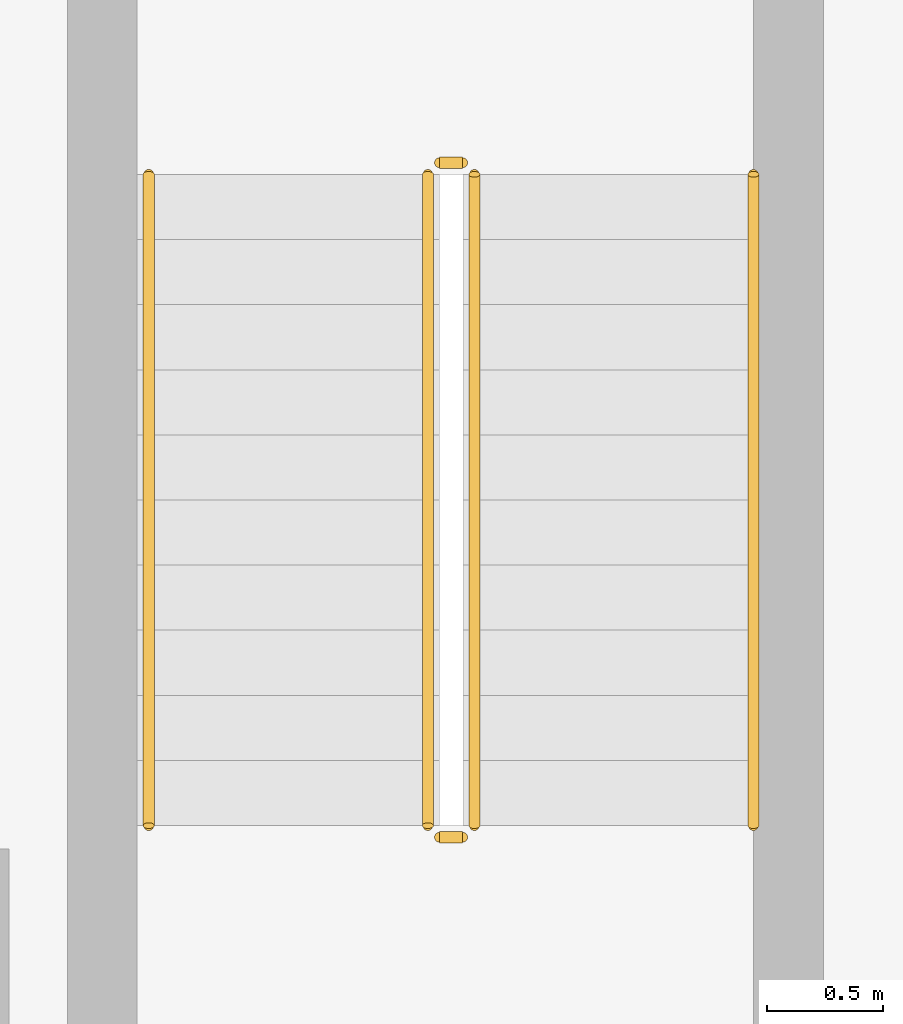
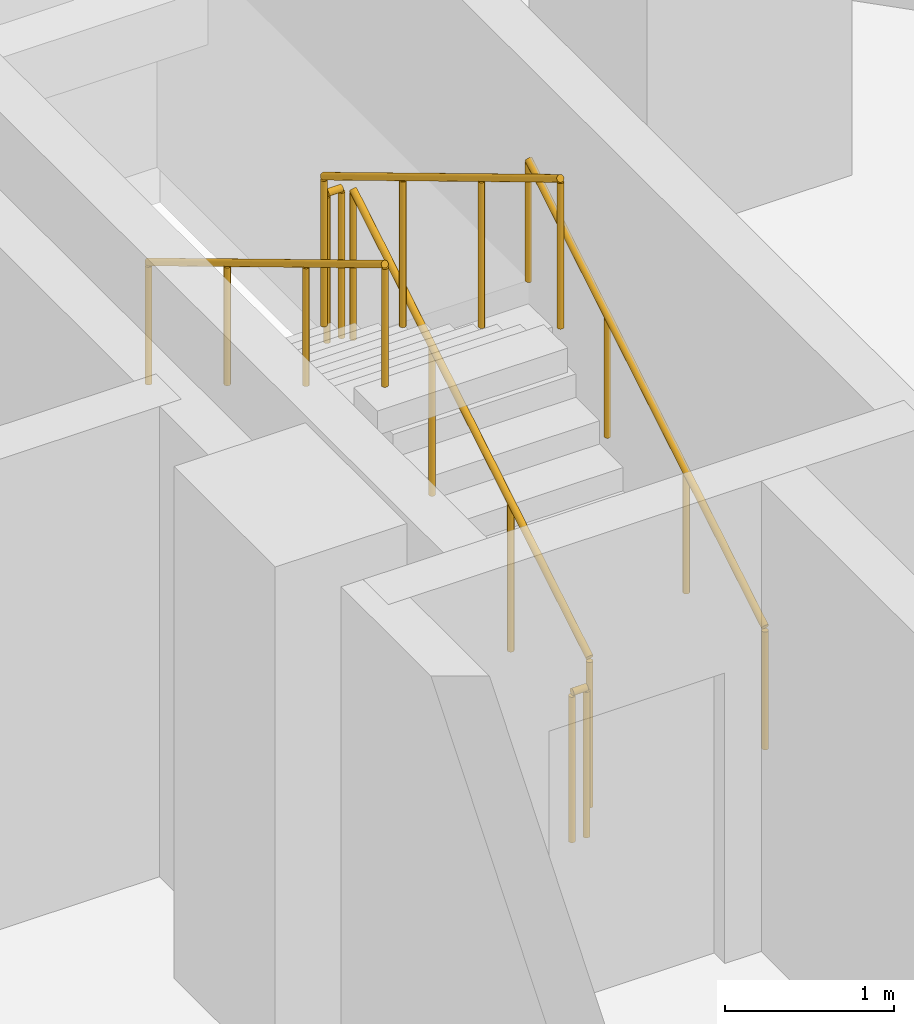
# One storey, part 31 of 32: 6 railings.
"""IFC4 building model written with IfcOpenShell, lengths in metres."""

from ifc_helpers import new_model, si_unit, direction, frame, origin, origin_2d, place, context, subcontext, project, spatial, circle, extrude, material, type_object, element, save


model = new_model("IFC4")

# Units and contexts
model_context = context("Model", 3, precision=1e-05, world=origin(), true_north=direction((0.0, 1.0)))
body_context = subcontext(model_context, "Body", "Model", "MODEL_VIEW")
ifc_project = project(units=[si_unit("LENGTHUNIT", "METRE"), si_unit("AREAUNIT", "SQUARE_METRE"), si_unit("VOLUMEUNIT", "CUBIC_METRE"), si_unit("PLANEANGLEUNIT", "RADIAN"), si_unit("MASSUNIT", "GRAM", prefix="KILO")], contexts=[model_context])

# Site, building, storey
site_placement = place(None, origin())
site = spatial("IfcSite", under=ifc_project, at=site_placement, CompositionType="ELEMENT")
building_placement = place(site_placement, origin())
building = spatial("IfcBuilding", under=site, at=building_placement, Name="Ogive Portal Towers", CompositionType="ELEMENT")
storey_placement = place(building_placement, frame((0.0, 0.0, 55.699951171875)))
storey = spatial("IfcBuildingStorey", under=building, at=storey_placement, Name="L12", CompositionType="ELEMENT", Elevation=55.699951171875)

# Railings
ifc_material_1 = material(Name="Stainless steel balustrade", Category="steel")
railing_type_1 = type_object("IfcRailingType", Name="INT-GUARD", PredefinedType="GUARDRAIL", material=ifc_material_1)
railing_1_placement = place(storey_placement, frame((42.949951171875, 67.199951171875, 0.168212890625)))
element("IfcRailing", 1, at=railing_1_placement, inside=storey, type_object=railing_type_1, Name="L12 ST-A3 stair guard 1", PredefinedType="GUARDRAIL", context=body_context, shape_type="SweptSolid", body=[
    extrude(circle(Radius=0.02392578125, at=origin_2d()), frame((0.0, 0.0, 1.076171875), z_axis=(0.0, 0.857242210791, 0.514913383045), x_axis=(-1.0, 0.0, 0.0)), (0.0, 0.0, 1.0), 3.266357421875),
    extrude(circle(Radius=0.02099609375, at=origin_2d()), origin(), (0.0, 0.0, 1.0), 1.052001953125),
    extrude(circle(Radius=0.02099609375, at=origin_2d()), frame((0.0, 0.933349609375, 0.560546875)), (0.0, 0.0, 1.0), 1.052001953125),
    extrude(circle(Radius=0.02099609375, at=origin_2d()), frame((0.0, 1.86669921875, 1.121337890625)), (0.0, 0.0, 1.0), 1.052001953125),
    extrude(circle(Radius=0.02099609375, at=origin_2d()), frame((0.0, 2.800048828125, 1.681884765625)), (0.0, 0.0, 1.0), 1.052001953125),
])
railing_2_placement = place(storey_placement, frame((42.89990234375, 70.050048828125, 1.85009765625)))
element("IfcRailing", 2, at=railing_2_placement, inside=storey, type_object=railing_type_1, Name="L12 ST-A3 stair guard 2", PredefinedType="GUARDRAIL", context=body_context, shape_type="SweptSolid", body=[
    extrude(circle(Radius=0.02392578125, at=origin_2d()), frame((0.0, 0.0, 1.076171875), z_axis=(-1.0, 0.0, 0.0), x_axis=(0.0, -1.0, 0.0)), (0.0, 0.0, 1.0), 0.099853515625),
    extrude(circle(Radius=0.02099609375, at=origin_2d()), origin(), (0.0, 0.0, 1.0), 1.052001953125),
    extrude(circle(Radius=0.02099609375, at=origin_2d()), frame((-0.099853515625, 0.0, 0.0)), (0.0, 0.0, 1.0), 1.052001953125),
])
railing_3_placement = place(storey_placement, frame((42.75, 70.0, 2.018310546875)))
element("IfcRailing", 3, at=railing_3_placement, inside=storey, type_object=railing_type_1, Name="L12 ST-A3 stair guard 3", PredefinedType="GUARDRAIL", context=body_context, shape_type="SweptSolid", body=[
    extrude(circle(Radius=0.02392578125, at=origin_2d()), frame((0.0, 0.0, 1.076171875), z_axis=(0.0, -0.857275202839, 0.514858452973), x_axis=(1.0, 0.0, 0.0)), (0.0, 0.0, 1.0), 3.26611328125),
    extrude(circle(Radius=0.02099609375, at=origin_2d()), origin(), (0.0, 0.0, 1.0), 1.052001953125),
    extrude(circle(Radius=0.02099609375, at=origin_2d()), frame((0.0, -0.933349609375, 0.560546875)), (0.0, 0.0, 1.0), 1.052001953125),
    extrude(circle(Radius=0.02099609375, at=origin_2d()), frame((0.0, -1.86669921875, 1.12109375)), (0.0, 0.0, 1.0), 1.052001953125),
    extrude(circle(Radius=0.02099609375, at=origin_2d()), frame((0.0, -2.800048828125, 1.681640625)), (0.0, 0.0, 1.0), 1.052001953125),
])
railing_4_placement = place(storey_placement, frame((42.89990234375, 67.14990234375, 0.0)))
element("IfcRailing", 4, at=railing_4_placement, inside=storey, type_object=railing_type_1, Name="L12 ST-A3 stair guard 4", PredefinedType="GUARDRAIL", context=body_context, shape_type="SweptSolid", body=[
    extrude(circle(Radius=0.02392578125, at=origin_2d()), frame((0.0, 0.0, 1.076171875), z_axis=(-1.0, 0.0, 0.0), x_axis=(0.0, -1.0, 0.0)), (0.0, 0.0, 1.0), 0.099853515625),
    extrude(circle(Radius=0.02099609375, at=origin_2d()), origin(), (0.0, 0.0, 1.0), 1.052001953125),
    extrude(circle(Radius=0.02099609375, at=origin_2d()), frame((-0.099853515625, 0.0, 0.0)), (0.0, 0.0, 1.0), 1.052001953125),
])
ifc_material_2 = material(Name="Stainless steel handrail", Category="steel")
railing_type_2 = type_object("IfcRailingType", Name="INT-HANDRAIL", PredefinedType="HANDRAIL", material=ifc_material_2)
railing_5_placement = place(storey_placement, frame((44.14990234375, 67.199951171875, 0.168212890625)))
element("IfcRailing", 5, at=railing_5_placement, inside=storey, type_object=railing_type_2, Name="L12 ST-A3 stair handrail 1", PredefinedType="HANDRAIL", context=body_context, shape_type="SweptSolid", body=[
    extrude(circle(Radius=0.02392578125, at=origin_2d()), frame((0.0, 0.0, 0.8759765625), z_axis=(0.0, 0.857242210791, 0.514913383045), x_axis=(-1.0, 0.0, 0.0)), (0.0, 0.0, 1.0), 3.266357421875),
    extrude(circle(Radius=0.02099609375, at=origin_2d()), origin(), (0.0, 0.0, 1.0), 0.851806640625),
    extrude(circle(Radius=0.02099609375, at=origin_2d()), frame((0.0, 0.933349609375, 0.560546875)), (0.0, 0.0, 1.0), 0.851806640625),
    extrude(circle(Radius=0.02099609375, at=origin_2d()), frame((0.0, 1.86669921875, 1.121337890625)), (0.0, 0.0, 1.0), 0.851806640625),
    extrude(circle(Radius=0.02099609375, at=origin_2d()), frame((0.0, 2.800048828125, 1.681884765625)), (0.0, 0.0, 1.0), 0.851806640625),
])
railing_6_placement = place(storey_placement, frame((41.550048828125, 70.0, 2.018310546875)))
element("IfcRailing", 6, at=railing_6_placement, inside=storey, type_object=railing_type_2, Name="L12 ST-A3 stair handrail 2", PredefinedType="HANDRAIL", context=body_context, shape_type="SweptSolid", body=[
    extrude(circle(Radius=0.02392578125, at=origin_2d()), frame((0.0, 0.0, 0.8759765625), z_axis=(0.0, -0.857275202839, 0.514858452973), x_axis=(1.0, 0.0, 0.0)), (0.0, 0.0, 1.0), 3.26611328125),
    extrude(circle(Radius=0.02099609375, at=origin_2d()), origin(), (0.0, 0.0, 1.0), 0.851806640625),
    extrude(circle(Radius=0.02099609375, at=origin_2d()), frame((0.0, -0.933349609375, 0.560546875)), (0.0, 0.0, 1.0), 0.851806640625),
    extrude(circle(Radius=0.02099609375, at=origin_2d()), frame((0.0, -1.86669921875, 1.12109375)), (0.0, 0.0, 1.0), 0.851806640625),
    extrude(circle(Radius=0.02099609375, at=origin_2d()), frame((0.0, -2.800048828125, 1.681640625)), (0.0, 0.0, 1.0), 0.851806640625),
])

save(model, "model.ifc")
